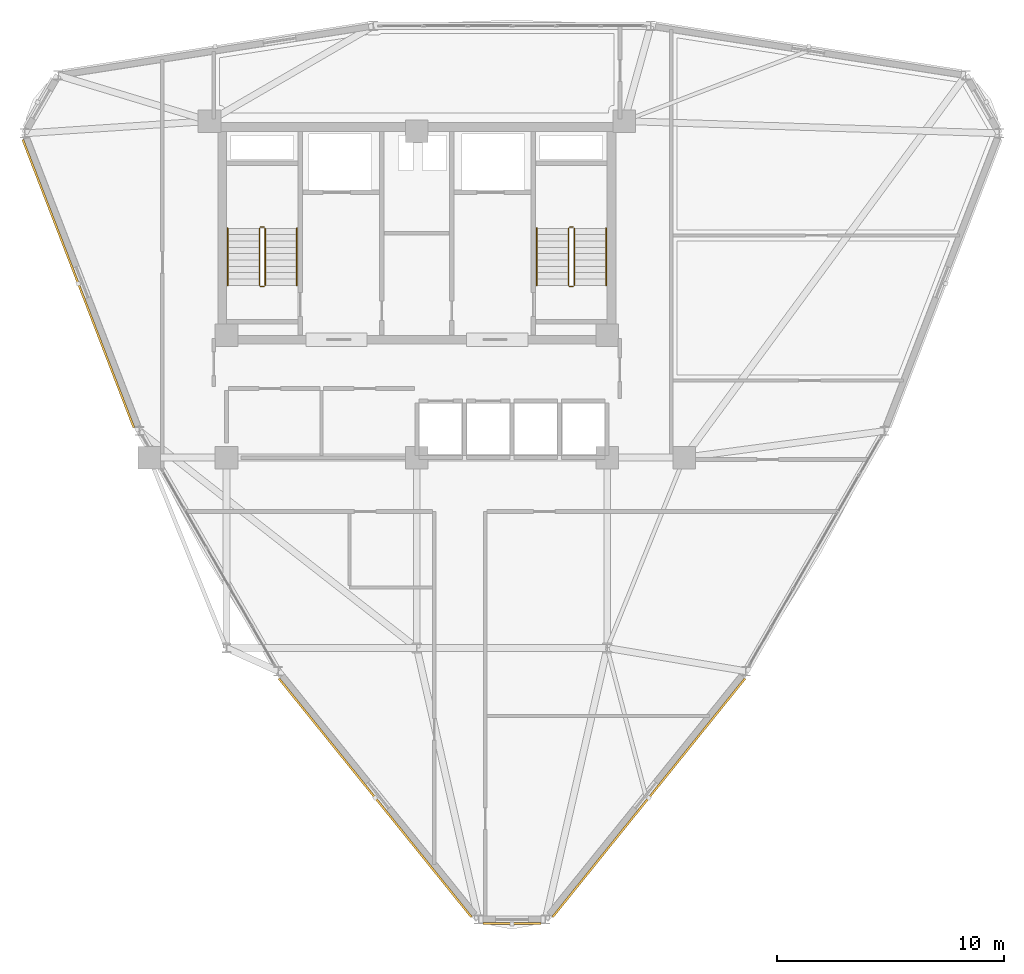
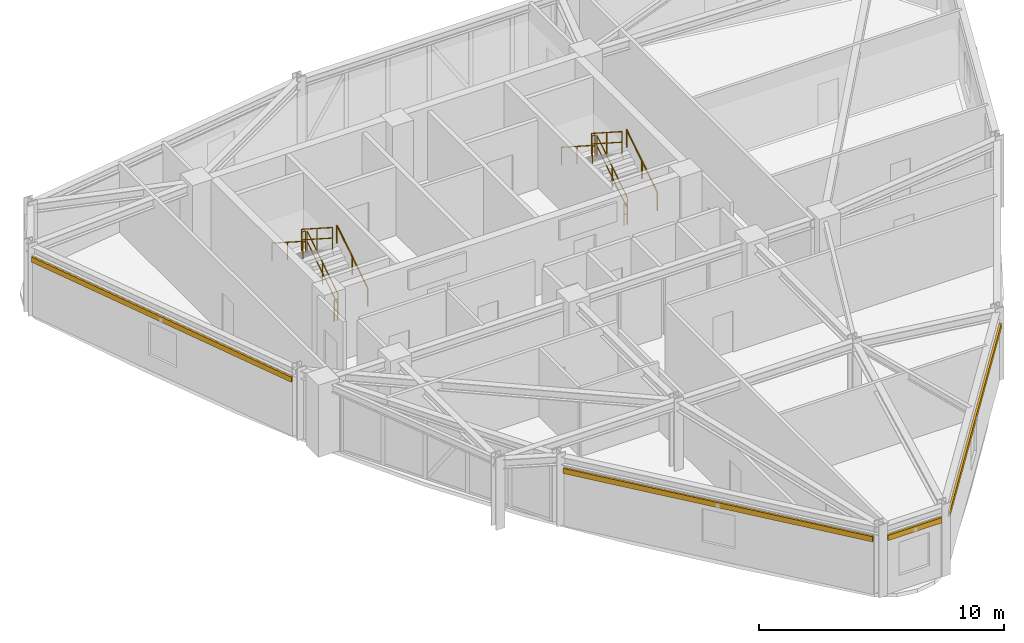
# One storey, part 15 of 16: 12 railings, 4 shading devices.
"""IFC4 building model written with IfcOpenShell, lengths in metres."""

from ifc_helpers import new_model, si_unit, derived_unit, direction, frame, origin, origin_2d, place, context, subcontext, project, spatial, hollow_rectangle, circle, extrude, source, transform, mapped, material, material_profile, profile_set, type_object, element, save


model = new_model("IFC4")

# Units and contexts
model_context = context("Model", 3, precision=1e-05, world=origin(), true_north=direction((0.0, 1.0)))
body_context = subcontext(model_context, "Body", "Model", "MODEL_VIEW")
ifc_project = project(units=[si_unit("LENGTHUNIT", "METRE"), si_unit("AREAUNIT", "SQUARE_METRE"), si_unit("VOLUMEUNIT", "CUBIC_METRE"), si_unit("PLANEANGLEUNIT", "RADIAN"), si_unit("MASSUNIT", "GRAM", prefix="KILO"), derived_unit("THERMALTRANSMITTANCEUNIT", [(si_unit("POWERUNIT", "WATT"), 1), (si_unit("LENGTHUNIT", "METRE"), -2), (si_unit("THERMODYNAMICTEMPERATUREUNIT", "KELVIN"), -1)])], contexts=[model_context])

# Site, building, storey
site_placement = place(None, origin())
site = spatial("IfcSite", under=ifc_project, at=site_placement, CompositionType="ELEMENT")
building_placement = place(site_placement, origin())
building = spatial("IfcBuilding", under=site, at=building_placement, Name="Korsvarv Bourse and Concert Hall", CompositionType="ELEMENT")
storey_placement = place(building_placement, frame((0.0, 0.0, 216.60009765625)))
storey = spatial("IfcBuildingStorey", under=building, at=storey_placement, Name="L56", CompositionType="ELEMENT", Elevation=216.60009765625)

# Railings
ifc_material_1 = material(Name="Painted Steel S355 stair well guardrail", Category="steel")
railing_type_1 = type_object("IfcRailingType", Name="RL-ST-GRD", PredefinedType="GUARDRAIL", material=ifc_material_1)
railing_1_placement = place(storey_placement, frame((29.31005859375, 40.0, 0.179931640625)))
element("IfcRailing", 1, at=railing_1_placement, inside=storey, type_object=railing_type_1, Name="L56 ST-T1 stair guard 1", PredefinedType="GUARDRAIL", context=body_context, shape_type="SweptSolid", body=[
    extrude(circle(Radius=0.02392578125, at=origin_2d()), frame((0.0, 0.0, 1.076171875), z_axis=(0.0, 0.841199657755, 0.540724639528), x_axis=(-1.0, 0.0, 0.0)), (0.0, 0.0, 1.0), 2.995849609375),
    extrude(circle(Radius=0.02392578125, at=origin_2d()), frame((0.0, 0.0, 0.550048828125), z_axis=(0.0, 0.841199657755, 0.540724639528), x_axis=(-1.0, 0.0, 0.0)), (0.0, 0.0, 1.0), 2.995849609375),
    extrude(circle(Radius=0.02099609375, at=origin_2d()), origin(), (0.0, 0.0, 1.0), 1.052001953125),
    extrude(circle(Radius=0.02099609375, at=origin_2d()), frame((0.0, 1.260009765625, 0.81005859375)), (0.0, 0.0, 1.0), 1.052001953125),
    extrude(circle(Radius=0.02099609375, at=origin_2d()), frame((0.0, 2.52001953125, 1.619873046875)), (0.0, 0.0, 1.0), 1.052001953125),
])
railing_2_placement = place(storey_placement, frame((29.260009765625, 42.570068359375, 1.7998046875)))
element("IfcRailing", 2, at=railing_2_placement, inside=storey, type_object=railing_type_1, Name="L56 ST-T1 stair guard 2", PredefinedType="GUARDRAIL", context=body_context, shape_type="SweptSolid", body=[
    extrude(circle(Radius=0.02392578125, at=origin_2d()), frame((0.0, 0.0, 1.076171875), z_axis=(-1.0, 0.0, 0.0), x_axis=(0.0, -1.0, 0.0)), (0.0, 0.0, 1.0), 0.159912109375),
    extrude(circle(Radius=0.02392578125, at=origin_2d()), frame((0.0, 0.0, 0.550048828125), z_axis=(-1.0, 0.0, 0.0), x_axis=(0.0, -1.0, 0.0)), (0.0, 0.0, 1.0), 0.159912109375),
    extrude(circle(Radius=0.02099609375, at=origin_2d()), origin(), (0.0, 0.0, 1.0), 1.052001953125),
    extrude(circle(Radius=0.02099609375, at=origin_2d()), frame((-0.159912109375, 0.0, 0.0)), (0.0, 0.0, 1.0), 1.052001953125),
])
railing_3_placement = place(storey_placement, frame((29.050048828125, 42.52001953125, 1.97998046875)))
element("IfcRailing", 3, at=railing_3_placement, inside=storey, type_object=railing_type_1, Name="L56 ST-T1 stair guard 3", PredefinedType="GUARDRAIL", context=body_context, shape_type="SweptSolid", body=[
    extrude(circle(Radius=0.02392578125, at=origin_2d()), frame((0.0, 0.0, 1.076171875), z_axis=(0.0, -0.841199657755, 0.540724639528), x_axis=(1.0, 0.0, 0.0)), (0.0, 0.0, 1.0), 2.995849609375),
    extrude(circle(Radius=0.02392578125, at=origin_2d()), frame((0.0, 0.0, 0.550048828125), z_axis=(0.0, -0.841199657755, 0.540724639528), x_axis=(1.0, 0.0, 0.0)), (0.0, 0.0, 1.0), 2.995849609375),
    extrude(circle(Radius=0.02099609375, at=origin_2d()), origin(), (0.0, 0.0, 1.0), 1.052001953125),
    extrude(circle(Radius=0.02099609375, at=origin_2d()), frame((0.0, -1.260009765625, 0.81005859375)), (0.0, 0.0, 1.0), 1.052001953125),
    extrude(circle(Radius=0.02099609375, at=origin_2d()), frame((0.0, -2.52001953125, 1.619873046875)), (0.0, 0.0, 1.0), 1.052001953125),
])
railing_4_placement = place(storey_placement, frame((29.260009765625, 39.949951171875, 0.0)))
element("IfcRailing", 4, at=railing_4_placement, inside=storey, type_object=railing_type_1, Name="L56 ST-T1 stair guard 4", PredefinedType="GUARDRAIL", context=body_context, shape_type="SweptSolid", body=[
    extrude(circle(Radius=0.02392578125, at=origin_2d()), frame((0.0, 0.0, 1.076171875), z_axis=(-1.0, 0.0, 0.0), x_axis=(0.0, -1.0, 0.0)), (0.0, 0.0, 1.0), 0.159912109375),
    extrude(circle(Radius=0.02392578125, at=origin_2d()), frame((0.0, 0.0, 0.550048828125), z_axis=(-1.0, 0.0, 0.0), x_axis=(0.0, -1.0, 0.0)), (0.0, 0.0, 1.0), 0.159912109375),
    extrude(circle(Radius=0.02099609375, at=origin_2d()), origin(), (0.0, 0.0, 1.0), 1.052001953125),
    extrude(circle(Radius=0.02099609375, at=origin_2d()), frame((-0.159912109375, 0.0, 0.0)), (0.0, 0.0, 1.0), 1.052001953125),
])
railing_5_placement = place(storey_placement, frame((42.949951171875, 40.0, 0.179931640625)))
element("IfcRailing", 5, at=railing_5_placement, inside=storey, type_object=railing_type_1, Name="L56 ST-T2 stair guard 1", PredefinedType="GUARDRAIL", context=body_context, shape_type="SweptSolid", body=[
    extrude(circle(Radius=0.02392578125, at=origin_2d()), frame((0.0, 0.0, 1.076171875), z_axis=(0.0, 0.841199657755, 0.540724639528), x_axis=(-1.0, 0.0, 0.0)), (0.0, 0.0, 1.0), 2.995849609375),
    extrude(circle(Radius=0.02392578125, at=origin_2d()), frame((0.0, 0.0, 0.550048828125), z_axis=(0.0, 0.841199657755, 0.540724639528), x_axis=(-1.0, 0.0, 0.0)), (0.0, 0.0, 1.0), 2.995849609375),
    extrude(circle(Radius=0.02099609375, at=origin_2d()), origin(), (0.0, 0.0, 1.0), 1.052001953125),
    extrude(circle(Radius=0.02099609375, at=origin_2d()), frame((0.0, 1.260009765625, 0.81005859375)), (0.0, 0.0, 1.0), 1.052001953125),
    extrude(circle(Radius=0.02099609375, at=origin_2d()), frame((0.0, 2.52001953125, 1.619873046875)), (0.0, 0.0, 1.0), 1.052001953125),
])
railing_6_placement = place(storey_placement, frame((42.89990234375, 42.570068359375, 1.7998046875)))
element("IfcRailing", 6, at=railing_6_placement, inside=storey, type_object=railing_type_1, Name="L56 ST-T2 stair guard 2", PredefinedType="GUARDRAIL", context=body_context, shape_type="SweptSolid", body=[
    extrude(circle(Radius=0.02392578125, at=origin_2d()), frame((0.0, 0.0, 1.076171875), z_axis=(-1.0, 0.0, 0.0), x_axis=(0.0, -1.0, 0.0)), (0.0, 0.0, 1.0), 0.159912109375),
    extrude(circle(Radius=0.02392578125, at=origin_2d()), frame((0.0, 0.0, 0.550048828125), z_axis=(-1.0, 0.0, 0.0), x_axis=(0.0, -1.0, 0.0)), (0.0, 0.0, 1.0), 0.159912109375),
    extrude(circle(Radius=0.02099609375, at=origin_2d()), origin(), (0.0, 0.0, 1.0), 1.052001953125),
    extrude(circle(Radius=0.02099609375, at=origin_2d()), frame((-0.159912109375, 0.0, 0.0)), (0.0, 0.0, 1.0), 1.052001953125),
])
railing_7_placement = place(storey_placement, frame((42.68994140625, 42.52001953125, 1.97998046875)))
element("IfcRailing", 7, at=railing_7_placement, inside=storey, type_object=railing_type_1, Name="L56 ST-T2 stair guard 3", PredefinedType="GUARDRAIL", context=body_context, shape_type="SweptSolid", body=[
    extrude(circle(Radius=0.02392578125, at=origin_2d()), frame((0.0, 0.0, 1.076171875), z_axis=(0.0, -0.841199657755, 0.540724639528), x_axis=(1.0, 0.0, 0.0)), (0.0, 0.0, 1.0), 2.995849609375),
    extrude(circle(Radius=0.02392578125, at=origin_2d()), frame((0.0, 0.0, 0.550048828125), z_axis=(0.0, -0.841199657755, 0.540724639528), x_axis=(1.0, 0.0, 0.0)), (0.0, 0.0, 1.0), 2.995849609375),
    extrude(circle(Radius=0.02099609375, at=origin_2d()), origin(), (0.0, 0.0, 1.0), 1.052001953125),
    extrude(circle(Radius=0.02099609375, at=origin_2d()), frame((0.0, -1.260009765625, 0.81005859375)), (0.0, 0.0, 1.0), 1.052001953125),
    extrude(circle(Radius=0.02099609375, at=origin_2d()), frame((0.0, -2.52001953125, 1.619873046875)), (0.0, 0.0, 1.0), 1.052001953125),
])
railing_8_placement = place(storey_placement, frame((42.89990234375, 39.949951171875, 0.0)))
element("IfcRailing", 8, at=railing_8_placement, inside=storey, type_object=railing_type_1, Name="L56 ST-T2 stair guard 4", PredefinedType="GUARDRAIL", context=body_context, shape_type="SweptSolid", body=[
    extrude(circle(Radius=0.02392578125, at=origin_2d()), frame((0.0, 0.0, 1.076171875), z_axis=(-1.0, 0.0, 0.0), x_axis=(0.0, -1.0, 0.0)), (0.0, 0.0, 1.0), 0.159912109375),
    extrude(circle(Radius=0.02392578125, at=origin_2d()), frame((0.0, 0.0, 0.550048828125), z_axis=(-1.0, 0.0, 0.0), x_axis=(0.0, -1.0, 0.0)), (0.0, 0.0, 1.0), 0.159912109375),
    extrude(circle(Radius=0.02099609375, at=origin_2d()), origin(), (0.0, 0.0, 1.0), 1.052001953125),
    extrude(circle(Radius=0.02099609375, at=origin_2d()), frame((-0.159912109375, 0.0, 0.0)), (0.0, 0.0, 1.0), 1.052001953125),
])
ifc_material_2 = material(Name="Brushed stainless Steel S355 tubular handrail", Category="steel")
railing_type_2 = type_object("IfcRailingType", Name="RL-ST-HND", PredefinedType="HANDRAIL", material=ifc_material_2)
railing_9_placement = place(storey_placement, frame((30.7099609375, 40.0, 0.179931640625)))
element("IfcRailing", 9, at=railing_9_placement, inside=storey, type_object=railing_type_2, Name="L56 ST-T1 stair handrail 1", PredefinedType="HANDRAIL", context=body_context, shape_type="SweptSolid", body=[
    extrude(circle(Radius=0.02392578125, at=origin_2d()), frame((0.0, 0.0, 0.8759765625), z_axis=(0.0, 0.841199657755, 0.540724639528), x_axis=(-1.0, 0.0, 0.0)), (0.0, 0.0, 1.0), 2.995849609375),
    extrude(circle(Radius=0.02099609375, at=origin_2d()), origin(), (0.0, 0.0, 1.0), 0.851806640625),
    extrude(circle(Radius=0.02099609375, at=origin_2d()), frame((0.0, 1.260009765625, 0.81005859375)), (0.0, 0.0, 1.0), 0.851806640625),
    extrude(circle(Radius=0.02099609375, at=origin_2d()), frame((0.0, 2.52001953125, 1.619873046875)), (0.0, 0.0, 1.0), 0.851806640625),
])
railing_10_placement = place(storey_placement, frame((27.64990234375, 42.52001953125, 1.97998046875)))
element("IfcRailing", 10, at=railing_10_placement, inside=storey, type_object=railing_type_2, Name="L56 ST-T1 stair handrail 2", PredefinedType="HANDRAIL", context=body_context, shape_type="SweptSolid", body=[
    extrude(circle(Radius=0.02392578125, at=origin_2d()), frame((0.0, 0.0, 0.8759765625), z_axis=(0.0, -0.841199657755, 0.540724639528), x_axis=(1.0, 0.0, 0.0)), (0.0, 0.0, 1.0), 2.995849609375),
    extrude(circle(Radius=0.02099609375, at=origin_2d()), origin(), (0.0, 0.0, 1.0), 0.851806640625),
    extrude(circle(Radius=0.02099609375, at=origin_2d()), frame((0.0, -1.260009765625, 0.81005859375)), (0.0, 0.0, 1.0), 0.851806640625),
    extrude(circle(Radius=0.02099609375, at=origin_2d()), frame((0.0, -2.52001953125, 1.619873046875)), (0.0, 0.0, 1.0), 0.851806640625),
])
railing_11_placement = place(storey_placement, frame((44.35009765625, 40.0, 0.179931640625)))
element("IfcRailing", 11, at=railing_11_placement, inside=storey, type_object=railing_type_2, Name="L56 ST-T2 stair handrail 1", PredefinedType="HANDRAIL", context=body_context, shape_type="SweptSolid", body=[
    extrude(circle(Radius=0.02392578125, at=origin_2d()), frame((0.0, 0.0, 0.8759765625), z_axis=(0.0, 0.841199657755, 0.540724639528), x_axis=(-1.0, 0.0, 0.0)), (0.0, 0.0, 1.0), 2.995849609375),
    extrude(circle(Radius=0.02099609375, at=origin_2d()), origin(), (0.0, 0.0, 1.0), 0.851806640625),
    extrude(circle(Radius=0.02099609375, at=origin_2d()), frame((0.0, 1.260009765625, 0.81005859375)), (0.0, 0.0, 1.0), 0.851806640625),
    extrude(circle(Radius=0.02099609375, at=origin_2d()), frame((0.0, 2.52001953125, 1.619873046875)), (0.0, 0.0, 1.0), 0.851806640625),
])
railing_12_placement = place(storey_placement, frame((41.2900390625, 42.52001953125, 1.97998046875)))
element("IfcRailing", 12, at=railing_12_placement, inside=storey, type_object=railing_type_2, Name="L56 ST-T2 stair handrail 2", PredefinedType="HANDRAIL", context=body_context, shape_type="SweptSolid", body=[
    extrude(circle(Radius=0.02392578125, at=origin_2d()), frame((0.0, 0.0, 0.8759765625), z_axis=(0.0, -0.841199657755, 0.540724639528), x_axis=(1.0, 0.0, 0.0)), (0.0, 0.0, 1.0), 2.995849609375),
    extrude(circle(Radius=0.02099609375, at=origin_2d()), origin(), (0.0, 0.0, 1.0), 0.851806640625),
    extrude(circle(Radius=0.02099609375, at=origin_2d()), frame((0.0, -1.260009765625, 0.81005859375)), (0.0, 0.0, 1.0), 0.851806640625),
    extrude(circle(Radius=0.02099609375, at=origin_2d()), frame((0.0, -2.52001953125, 1.619873046875)), (0.0, 0.0, 1.0), 0.851806640625),
])

# Shading devices
ifc_material_3 = material(Name="Glazed extruded architectural terracotta", Category="ceramic")
ifc_material_profile = material_profile(ifc_material_3, hollow_rectangle(XDim=0.090087890625, YDim=0.260009765625, WallThickness=0.011962890625, at=origin_2d()), Name="TC-BAG 90x260")
ifc_profile_set = profile_set([ifc_material_profile], Name="Glazed extruded architectural terracotta")
shading_device_type = type_object("IfcShadingDeviceType", Name="SHD-BAG-1", PredefinedType="USERDEFINED", material=ifc_profile_set)
shared_shape_1 = source(origin(), body_context, "Body", "SweptSolid", [
    extrude(hollow_rectangle(XDim=0.090087890625, YDim=0.260009765625, WallThickness=0.011962890625, at=origin_2d()), origin(), (0.0, 0.0, 1.0), 13.621337890625),
])
shading_device_1_placement = place(storey_placement, frame((18.61181640625, 46.432373046875, 2.85986328125), z_axis=(0.359956541612, -0.93296907138, 0.0), x_axis=(0.93296907138, 0.359956541612, 0.0)))
element("IfcShadingDevice", 13, at=shading_device_1_placement, inside=storey, type_object=shading_device_type, Name="L56 terracotta baguette sunshade EW-L56-B06", ObjectType="BAGUETTE", PredefinedType="USERDEFINED", context=body_context, shape_type="MappedRepresentation", body=[
    mapped(shared_shape_1, transform((0.0, 0.0, 0.0), scale=1.0)),
])
shared_shape_2 = source(origin(), body_context, "Body", "SweptSolid", [
    extrude(hollow_rectangle(XDim=0.090087890625, YDim=0.260009765625, WallThickness=0.011962890625, at=origin_2d()), origin(), (0.0, 0.0, 1.0), 13.530517578125),
])
for number, where, z_axis, x_axis, name in (
    (14, (29.9150390625, 22.653076171875, 2.7998046875), (0.627990128971, -0.778221303946, 0.0), (0.778221303946, 0.627990128971, 0.0), "L56 terracotta baguette sunshade EW-L56-B08"),
    (15, (41.98779296875, 12.123291015625, 2.7998046875), (0.627990128971, 0.778221303946, 0.0), (-0.778221303946, 0.627990128971, 0.0), "L56 terracotta baguette sunshade EW-L56-B10"),
):
    element("IfcShadingDevice", number, at=place(storey_placement, frame(where, z_axis=z_axis, x_axis=x_axis)), inside=storey, type_object=shading_device_type, Name=name, ObjectType="BAGUETTE", PredefinedType="USERDEFINED", context=body_context, shape_type="MappedRepresentation", body=[
        mapped(shared_shape_2, transform((0.0, 0.0, 0.0), scale=1.0)),
    ])
shared_shape_3 = source(origin(), body_context, "Body", "SweptSolid", [
    extrude(hollow_rectangle(XDim=0.090087890625, YDim=0.260009765625, WallThickness=0.011962890625, at=origin_2d()), origin(), (0.0, 0.0, 1.0), 2.54345703125),
])
shading_device_2_placement = place(storey_placement, frame((38.92822265625, 11.835205078125, 2.85986328125), z_axis=(1.0, 0.0, 0.0), x_axis=(0.0, 1.0, 0.0)))
element("IfcShadingDevice", 16, at=shading_device_2_placement, inside=storey, type_object=shading_device_type, Name="L56 terracotta baguette sunshade EW-L56-B09", ObjectType="BAGUETTE", PredefinedType="USERDEFINED", context=body_context, shape_type="MappedRepresentation", body=[
    mapped(shared_shape_3, transform((0.0, 0.0, 0.0), scale=1.0)),
])

save(model, "model.ifc")
